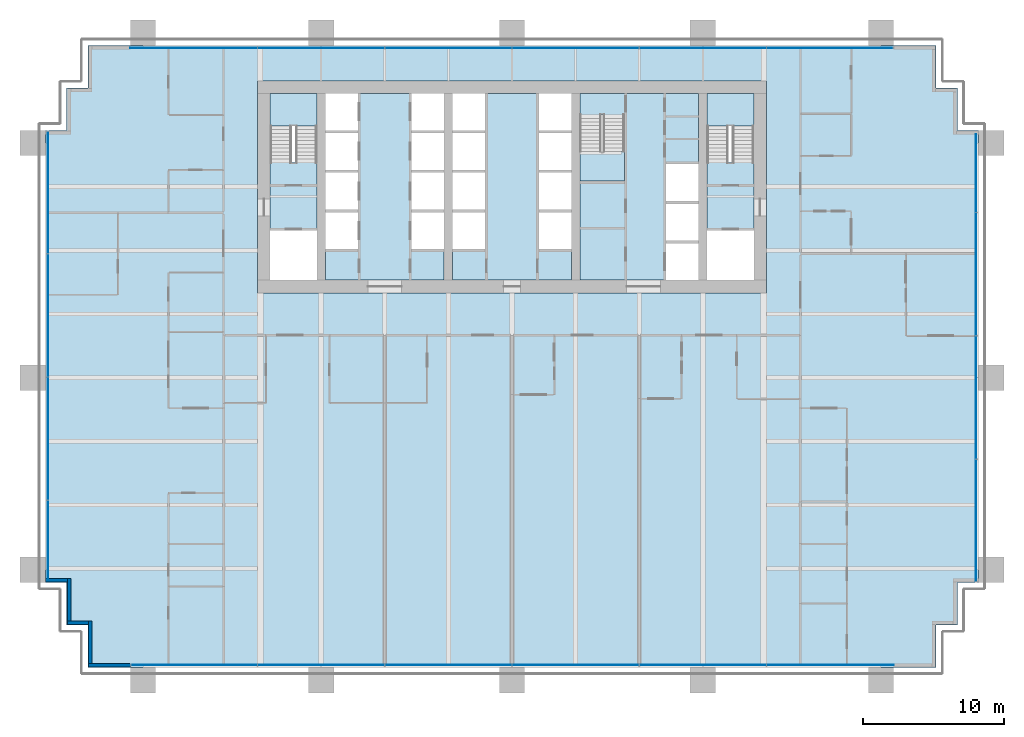
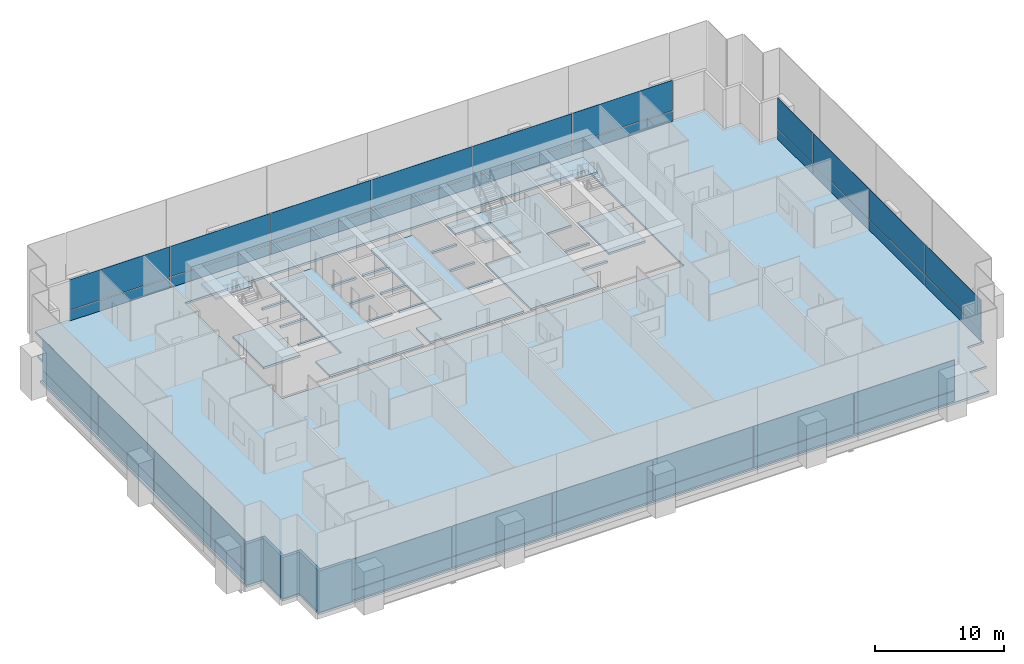
# One storey, part 10 of 18: 40 plates, 9 slabs, 5 walls, 7 elements without a shape of their own.
"""IFC4 building model written with IfcOpenShell, lengths in metres."""

from ifc_helpers import new_model, si_unit, direction, frame, frame_2d, origin, origin_2d, place, context, subcontext, project, spatial, polyline, rectangle, outline, extrude, material, layer, layer_set, type_object, element, aggregate, save


model = new_model("IFC4")

# Units and contexts
model_context = context("Model", 3, precision=1e-05, world=origin(), true_north=direction((0.0, 1.0)))
body_context = subcontext(model_context, "Body", "Model", "MODEL_VIEW")
ifc_project = project(units=[si_unit("LENGTHUNIT", "METRE"), si_unit("AREAUNIT", "SQUARE_METRE"), si_unit("VOLUMEUNIT", "CUBIC_METRE"), si_unit("PLANEANGLEUNIT", "RADIAN"), si_unit("MASSUNIT", "GRAM", prefix="KILO")], contexts=[model_context])

# Site, building, storey
site_placement = place(None, origin())
site = spatial("IfcSite", under=ifc_project, at=site_placement, CompositionType="ELEMENT")
building_placement = place(site_placement, origin())
building = spatial("IfcBuilding", under=site, at=building_placement, Name="Rattan Terrace Tower", CompositionType="ELEMENT")
storey_placement = place(building_placement, frame((0.0, 0.0, 32.39990234375)))
storey = spatial("IfcBuildingStorey", under=building, at=storey_placement, Name="L06", CompositionType="ELEMENT", Elevation=32.39990234375)

# Stair, slab
ifc_material_1 = material(Name="Concrete C40/50", Category="concrete")
stair_type = type_object("IfcStairType", Name="Core exit stair 1500", PredefinedType="HALF_TURN_STAIR", material=ifc_material_1)
stair_1_placement = place(storey_placement, origin())
stair_1 = element("IfcStair", 1, at=stair_1_placement, inside=storey, type_object=stair_type, Name="L06 exit stair 1", PredefinedType="HALF_TURN_STAIR")
ifc_material_2 = material(Name="Concrete C40/50", Category="concrete")
ifc_layer_1 = layer(ifc_material_2, 0.199951171875)
ifc_layer_set_1 = layer_set([ifc_layer_1], Name="Core exit stair landing")
slab_type_1 = type_object("IfcSlabType", Name="Core exit stair landing", PredefinedType="LANDING", material=ifc_layer_set_1)
slab_1_placement = place(storey_placement, frame((0.0, 0.0, 1.85009765625)))
slab_1 = element("IfcSlab", 2, at=slab_1_placement, type_object=slab_type_1, Name="S1 landing 1", PredefinedType="LANDING", context=body_context, shape_type="SweptSolid", body=[
    extrude(outline(polyline([(-13.800048828125, 4.300048828125), (-13.800048828125, 6.60009765625), (-17.10009765625, 6.60009765625), (-17.10009765625, 4.300048828125), (-13.800048828125, 4.300048828125)])), origin(), (0.0, 0.0, 1.0), 0.199951171875),
])
aggregate(stair_1, [slab_1])

stair_2_placement = place(storey_placement, origin())
stair_2 = element("IfcStair", 3, at=stair_2_placement, inside=storey, type_object=stair_type, Name="L06 exit stair 2", PredefinedType="HALF_TURN_STAIR")
slab_2_placement = place(storey_placement, frame((0.0, 0.0, 1.85009765625)))
slab_2 = element("IfcSlab", 4, at=slab_2_placement, type_object=slab_type_1, Name="S2 landing 1", PredefinedType="LANDING", context=body_context, shape_type="SweptSolid", body=[
    extrude(outline(polyline([(17.10009765625, 4.300048828125), (17.10009765625, 6.60009765625), (13.800048828125, 6.60009765625), (13.800048828125, 4.300048828125), (17.10009765625, 4.300048828125)])), origin(), (0.0, 0.0, 1.0), 0.199951171875),
])
aggregate(stair_2, [slab_2])

stair_3_placement = place(storey_placement, origin())
stair_3 = element("IfcStair", 5, at=stair_3_placement, inside=storey, type_object=stair_type, Name="L06 exit stair 3", PredefinedType="HALF_TURN_STAIR")
slab_3_placement = place(storey_placement, frame((0.0, 0.0, 1.85009765625)))
slab_3 = element("IfcSlab", 6, at=slab_3_placement, type_object=slab_type_1, Name="S3 landing 1", PredefinedType="LANDING", context=body_context, shape_type="SweptSolid", body=[
    extrude(outline(polyline([(4.800048828125, 2.5), (4.800048828125, 0.39990234375), (7.949951171875, 0.39990234375), (7.949951171875, 2.5), (4.800048828125, 2.5)])), origin(), (0.0, 0.0, 1.0), 0.199951171875),
])
aggregate(stair_3, [slab_3])

# Curtain wall, plates
ifc_material_3 = material(Name="Aluminium and glass", Category="aluminium")
curtain_wall_type = type_object("IfcCurtainWallType", Name="Facade Unitised Curtain Wall", PredefinedType="NOTDEFINED", material=ifc_material_3)
curtain_wall_1_placement = place(storey_placement, origin())
curtain_wall_1 = element("IfcCurtainWall", 7, at=curtain_wall_1_placement, inside=storey, type_object=curtain_wall_type, Name="Curtain wall L06-1", PredefinedType="NOTDEFINED")
ifc_material_4 = material(Name="Aluminium insulated spandrel panel", Category="aluminium")
ifc_layer_2 = layer(ifc_material_4, 0.028076171875)
ifc_layer_set_2 = layer_set([ifc_layer_2], Name="Facade CW Spandrel Panel")
plate_type_1 = type_object("IfcPlateType", Name="Facade CW Spandrel Panel", PredefinedType="CURTAIN_PANEL", material=ifc_layer_set_2)
plate_1_placement = place(storey_placement, frame((32.830078125, -23.59912109375, 0.0), z_axis=(0.0, 0.0, 1.0), x_axis=(0.0, 1.0, 0.0)))
plate_1 = element("IfcPlate", 8, at=plate_1_placement, type_object=plate_type_1, Name="Panel cwl-L06-001.1.1", PredefinedType="CURTAIN_PANEL", context=body_context, shape_type="SweptSolid", body=[
    extrude(rectangle(XDim=8.592041015625, YDim=0.028076171875, at=origin_2d()), origin(), (0.0, 0.0, 1.0), 0.969970703125),
])
plate_2_placement = place(storey_placement, frame((32.830078125, -14.909423828125, 0.0), z_axis=(0.0, 0.0, 1.0), x_axis=(0.0, 1.0, 0.0)))
plate_2 = element("IfcPlate", 9, at=plate_2_placement, type_object=plate_type_1, Name="Panel cwl-L06-001.2.1", PredefinedType="CURTAIN_PANEL", context=body_context, shape_type="SweptSolid", body=[
    extrude(rectangle(XDim=8.6669921875, YDim=0.028076171875, at=origin_2d()), origin(), (0.0, 0.0, 1.0), 0.969970703125),
])
plate_3_placement = place(storey_placement, frame((32.830078125, -6.1826171875, 0.0), z_axis=(0.0, 0.0, 1.0), x_axis=(0.0, 1.0, 0.0)))
plate_3 = element("IfcPlate", 10, at=plate_3_placement, type_object=plate_type_1, Name="Panel cwl-L06-001.3.1", PredefinedType="CURTAIN_PANEL", context=body_context, shape_type="SweptSolid", body=[
    extrude(rectangle(XDim=8.6669921875, YDim=0.028076171875, at=origin_2d()), origin(), (0.0, 0.0, 1.0), 0.969970703125),
])
plate_4_placement = place(storey_placement, frame((32.830078125, 0.9580078125, 0.0), z_axis=(0.0, 0.0, 1.0), x_axis=(0.0, 1.0, 0.0)))
plate_4 = element("IfcPlate", 11, at=plate_4_placement, type_object=plate_type_1, Name="Panel cwl-L06-001.4.1", PredefinedType="CURTAIN_PANEL", context=body_context, shape_type="SweptSolid", body=[
    extrude(rectangle(XDim=5.493896484375, YDim=0.028076171875, at=origin_2d()), origin(), (0.0, 0.0, 1.0), 0.969970703125),
])

curtain_wall_2_placement = place(storey_placement, origin())
curtain_wall_2 = element("IfcCurtainWall", 12, at=curtain_wall_2_placement, inside=storey, type_object=curtain_wall_type, Name="Curtain wall L06-2", PredefinedType="NOTDEFINED")
plate_5_placement = place(storey_placement, frame((22.485107421875, 9.830078125, 0.0), z_axis=(0.0, 0.0, 1.0), x_axis=(-1.0, 0.0, 0.0)))
plate_5 = element("IfcPlate", 13, at=plate_5_placement, type_object=plate_type_1, Name="Panel cwl-L06-002.1.1", PredefinedType="CURTAIN_PANEL", context=body_context, shape_type="SweptSolid", body=[
    extrude(rectangle(XDim=8.909912109375, YDim=0.028076171875, at=origin_2d()), origin(), (0.0, 0.0, 1.0), 0.969970703125),
])
plate_6_placement = place(storey_placement, frame((13.5, 9.830078125, 0.0), z_axis=(0.0, 0.0, 1.0), x_axis=(-1.0, 0.0, 0.0)))
plate_6 = element("IfcPlate", 14, at=plate_6_placement, type_object=plate_type_1, Name="Panel cwl-L06-002.2.1", PredefinedType="CURTAIN_PANEL", context=body_context, shape_type="SweptSolid", body=[
    extrude(rectangle(XDim=8.93994140625, YDim=0.028076171875, at=origin_2d()), origin(), (0.0, 0.0, 1.0), 0.969970703125),
])
plate_7_placement = place(storey_placement, frame((4.5, 9.830078125, 0.0), z_axis=(0.0, 0.0, 1.0), x_axis=(-1.0, 0.0, 0.0)))
plate_7 = element("IfcPlate", 15, at=plate_7_placement, type_object=plate_type_1, Name="Panel cwl-L06-002.3.1", PredefinedType="CURTAIN_PANEL", context=body_context, shape_type="SweptSolid", body=[
    extrude(rectangle(XDim=8.93994140625, YDim=0.028076171875, at=origin_2d()), origin(), (0.0, 0.0, 1.0), 0.969970703125),
])
plate_8_placement = place(storey_placement, frame((-4.5, 9.830078125, 0.0), z_axis=(0.0, 0.0, 1.0), x_axis=(-1.0, 0.0, 0.0)))
plate_8 = element("IfcPlate", 16, at=plate_8_placement, type_object=plate_type_1, Name="Panel cwl-L06-002.4.1", PredefinedType="CURTAIN_PANEL", context=body_context, shape_type="SweptSolid", body=[
    extrude(rectangle(XDim=8.93994140625, YDim=0.028076171875, at=origin_2d()), origin(), (0.0, 0.0, 1.0), 0.969970703125),
])
plate_9_placement = place(storey_placement, frame((-13.5, 9.830078125, 0.0), z_axis=(0.0, 0.0, 1.0), x_axis=(-1.0, 0.0, 0.0)))
plate_9 = element("IfcPlate", 17, at=plate_9_placement, type_object=plate_type_1, Name="Panel cwl-L06-002.5.1", PredefinedType="CURTAIN_PANEL", context=body_context, shape_type="SweptSolid", body=[
    extrude(rectangle(XDim=8.93994140625, YDim=0.028076171875, at=origin_2d()), origin(), (0.0, 0.0, 1.0), 0.969970703125),
])
plate_10_placement = place(storey_placement, frame((-22.514892578125, 9.830078125, 0.0), z_axis=(0.0, 0.0, 1.0), x_axis=(-1.0, 0.0, 0.0)))
plate_10 = element("IfcPlate", 18, at=plate_10_placement, type_object=plate_type_1, Name="Panel cwl-L06-002.6.1", PredefinedType="CURTAIN_PANEL", context=body_context, shape_type="SweptSolid", body=[
    extrude(rectangle(XDim=8.969970703125, YDim=0.028076171875, at=origin_2d()), origin(), (0.0, 0.0, 1.0), 0.969970703125),
])

curtain_wall_3_placement = place(storey_placement, origin())
curtain_wall_3 = element("IfcCurtainWall", 19, at=curtain_wall_3_placement, inside=storey, type_object=curtain_wall_type, Name="Curtain wall L06-3", PredefinedType="NOTDEFINED")
plate_11_placement = place(storey_placement, frame((-32.830078125, -0.40087890625, 0.0), z_axis=(0.0, 0.0, 1.0), x_axis=(0.0, -1.0, 0.0)))
plate_11 = element("IfcPlate", 20, at=plate_11_placement, type_object=plate_type_1, Name="Panel cwl-L06-003.1.1", PredefinedType="CURTAIN_PANEL", context=body_context, shape_type="SweptSolid", body=[
    extrude(rectangle(XDim=8.592041015625, YDim=0.028076171875, at=origin_2d()), origin(), (0.0, 0.0, 1.0), 0.969970703125),
])
plate_12_placement = place(storey_placement, frame((-32.830078125, -9.090576171875, 0.0), z_axis=(0.0, 0.0, 1.0), x_axis=(0.0, -1.0, 0.0)))
plate_12 = element("IfcPlate", 21, at=plate_12_placement, type_object=plate_type_1, Name="Panel cwl-L06-003.2.1", PredefinedType="CURTAIN_PANEL", context=body_context, shape_type="SweptSolid", body=[
    extrude(rectangle(XDim=8.6669921875, YDim=0.028076171875, at=origin_2d()), origin(), (0.0, 0.0, 1.0), 0.969970703125),
])
plate_13_placement = place(storey_placement, frame((-32.830078125, -17.8173828125, 0.0), z_axis=(0.0, 0.0, 1.0), x_axis=(0.0, -1.0, 0.0)))
plate_13 = element("IfcPlate", 22, at=plate_13_placement, type_object=plate_type_1, Name="Panel cwl-L06-003.3.1", PredefinedType="CURTAIN_PANEL", context=body_context, shape_type="SweptSolid", body=[
    extrude(rectangle(XDim=8.6669921875, YDim=0.028076171875, at=origin_2d()), origin(), (0.0, 0.0, 1.0), 0.969970703125),
])
plate_14_placement = place(storey_placement, frame((-32.830078125, -24.9580078125, 0.0), z_axis=(0.0, 0.0, 1.0), x_axis=(0.0, -1.0, 0.0)))
plate_14 = element("IfcPlate", 23, at=plate_14_placement, type_object=plate_type_1, Name="Panel cwl-L06-003.4.1", PredefinedType="CURTAIN_PANEL", context=body_context, shape_type="SweptSolid", body=[
    extrude(rectangle(XDim=5.493896484375, YDim=0.028076171875, at=origin_2d()), origin(), (0.0, 0.0, 1.0), 0.969970703125),
])

curtain_wall_4_placement = place(storey_placement, origin())
curtain_wall_4 = element("IfcCurtainWall", 24, at=curtain_wall_4_placement, inside=storey, type_object=curtain_wall_type, Name="Curtain wall L06-4", PredefinedType="NOTDEFINED")
plate_15_placement = place(storey_placement, frame((-22.485107421875, -33.830078125, 0.0), z_axis=(0.0, 0.0, 1.0), x_axis=(1.0, 0.0, 0.0)))
plate_15 = element("IfcPlate", 25, at=plate_15_placement, type_object=plate_type_1, Name="Panel cwl-L06-004.1.1", PredefinedType="CURTAIN_PANEL", context=body_context, shape_type="SweptSolid", body=[
    extrude(rectangle(XDim=8.909912109375, YDim=0.028076171875, at=origin_2d()), origin(), (0.0, 0.0, 1.0), 0.969970703125),
])
plate_16_placement = place(storey_placement, frame((-13.5, -33.830078125, 0.0), z_axis=(0.0, 0.0, 1.0), x_axis=(1.0, 0.0, 0.0)))
plate_16 = element("IfcPlate", 26, at=plate_16_placement, type_object=plate_type_1, Name="Panel cwl-L06-004.2.1", PredefinedType="CURTAIN_PANEL", context=body_context, shape_type="SweptSolid", body=[
    extrude(rectangle(XDim=8.93994140625, YDim=0.028076171875, at=origin_2d()), origin(), (0.0, 0.0, 1.0), 0.969970703125),
])
plate_17_placement = place(storey_placement, frame((-4.5, -33.830078125, 0.0), z_axis=(0.0, 0.0, 1.0), x_axis=(1.0, 0.0, 0.0)))
plate_17 = element("IfcPlate", 27, at=plate_17_placement, type_object=plate_type_1, Name="Panel cwl-L06-004.3.1", PredefinedType="CURTAIN_PANEL", context=body_context, shape_type="SweptSolid", body=[
    extrude(rectangle(XDim=8.93994140625, YDim=0.028076171875, at=origin_2d()), origin(), (0.0, 0.0, 1.0), 0.969970703125),
])
plate_18_placement = place(storey_placement, frame((4.5, -33.830078125, 0.0), z_axis=(0.0, 0.0, 1.0), x_axis=(1.0, 0.0, 0.0)))
plate_18 = element("IfcPlate", 28, at=plate_18_placement, type_object=plate_type_1, Name="Panel cwl-L06-004.4.1", PredefinedType="CURTAIN_PANEL", context=body_context, shape_type="SweptSolid", body=[
    extrude(rectangle(XDim=8.93994140625, YDim=0.028076171875, at=origin_2d()), origin(), (0.0, 0.0, 1.0), 0.969970703125),
])
plate_19_placement = place(storey_placement, frame((13.5, -33.830078125, 0.0), z_axis=(0.0, 0.0, 1.0), x_axis=(1.0, 0.0, 0.0)))
plate_19 = element("IfcPlate", 29, at=plate_19_placement, type_object=plate_type_1, Name="Panel cwl-L06-004.5.1", PredefinedType="CURTAIN_PANEL", context=body_context, shape_type="SweptSolid", body=[
    extrude(rectangle(XDim=8.93994140625, YDim=0.028076171875, at=origin_2d()), origin(), (0.0, 0.0, 1.0), 0.969970703125),
])
plate_20_placement = place(storey_placement, frame((22.514892578125, -33.830078125, 0.0), z_axis=(0.0, 0.0, 1.0), x_axis=(1.0, 0.0, 0.0)))
plate_20 = element("IfcPlate", 30, at=plate_20_placement, type_object=plate_type_1, Name="Panel cwl-L06-004.6.1", PredefinedType="CURTAIN_PANEL", context=body_context, shape_type="SweptSolid", body=[
    extrude(rectangle(XDim=8.969970703125, YDim=0.028076171875, at=origin_2d()), origin(), (0.0, 0.0, 1.0), 0.969970703125),
])

# Plate
ifc_material_5 = material(Name="Clear low-iron glass", Category="glass")
ifc_layer_3 = layer(ifc_material_5, 0.028076171875)
ifc_layer_set_3 = layer_set([ifc_layer_3], Name="Facade CW Vision Panel")
plate_type_2 = type_object("IfcPlateType", Name="Facade CW Vision Panel", PredefinedType="CURTAIN_PANEL", material=ifc_layer_set_3)
plate_21_placement = place(storey_placement, frame((32.830078125, -23.59912109375, 1.030029296875), z_axis=(0.0, 0.0, 1.0), x_axis=(0.0, 1.0, 0.0)))
plate_21 = element("IfcPlate", 31, at=plate_21_placement, type_object=plate_type_2, Name="Panel cwl-L06-001.1.2", PredefinedType="CURTAIN_PANEL", context=body_context, shape_type="SweptSolid", body=[
    extrude(rectangle(XDim=8.592041015625, YDim=0.028076171875, at=origin_2d()), origin(), (0.0, 0.0, 1.0), 2.8701171875),
])

plate_22_placement = place(storey_placement, frame((32.830078125, -14.909423828125, 1.030029296875), z_axis=(0.0, 0.0, 1.0), x_axis=(0.0, 1.0, 0.0)))
plate_22 = element("IfcPlate", 32, at=plate_22_placement, type_object=plate_type_2, Name="Panel cwl-L06-001.2.2", PredefinedType="CURTAIN_PANEL", context=body_context, shape_type="SweptSolid", body=[
    extrude(rectangle(XDim=8.6669921875, YDim=0.028076171875, at=origin_2d()), origin(), (0.0, 0.0, 1.0), 2.8701171875),
])

plate_23_placement = place(storey_placement, frame((32.830078125, -6.1826171875, 1.030029296875), z_axis=(0.0, 0.0, 1.0), x_axis=(0.0, 1.0, 0.0)))
plate_23 = element("IfcPlate", 33, at=plate_23_placement, type_object=plate_type_2, Name="Panel cwl-L06-001.3.2", PredefinedType="CURTAIN_PANEL", context=body_context, shape_type="SweptSolid", body=[
    extrude(rectangle(XDim=8.6669921875, YDim=0.028076171875, at=origin_2d()), origin(), (0.0, 0.0, 1.0), 2.8701171875),
])

plate_24_placement = place(storey_placement, frame((32.830078125, 0.9580078125, 1.030029296875), z_axis=(0.0, 0.0, 1.0), x_axis=(0.0, 1.0, 0.0)))
plate_24 = element("IfcPlate", 34, at=plate_24_placement, type_object=plate_type_2, Name="Panel cwl-L06-001.4.2", PredefinedType="CURTAIN_PANEL", context=body_context, shape_type="SweptSolid", body=[
    extrude(rectangle(XDim=5.493896484375, YDim=0.028076171875, at=origin_2d()), origin(), (0.0, 0.0, 1.0), 2.8701171875),
])

aggregate(curtain_wall_1, [plate_1, plate_21, plate_2, plate_22, plate_3, plate_23, plate_4, plate_24])

plate_25_placement = place(storey_placement, frame((22.485107421875, 9.830078125, 1.030029296875), z_axis=(0.0, 0.0, 1.0), x_axis=(-1.0, 0.0, 0.0)))
plate_25 = element("IfcPlate", 35, at=plate_25_placement, type_object=plate_type_2, Name="Panel cwl-L06-002.1.2", PredefinedType="CURTAIN_PANEL", context=body_context, shape_type="SweptSolid", body=[
    extrude(rectangle(XDim=8.909912109375, YDim=0.028076171875, at=origin_2d()), origin(), (0.0, 0.0, 1.0), 2.8701171875),
])

plate_26_placement = place(storey_placement, frame((13.5, 9.830078125, 1.030029296875), z_axis=(0.0, 0.0, 1.0), x_axis=(-1.0, 0.0, 0.0)))
plate_26 = element("IfcPlate", 36, at=plate_26_placement, type_object=plate_type_2, Name="Panel cwl-L06-002.2.2", PredefinedType="CURTAIN_PANEL", context=body_context, shape_type="SweptSolid", body=[
    extrude(rectangle(XDim=8.93994140625, YDim=0.028076171875, at=origin_2d()), origin(), (0.0, 0.0, 1.0), 2.8701171875),
])

plate_27_placement = place(storey_placement, frame((4.5, 9.830078125, 1.030029296875), z_axis=(0.0, 0.0, 1.0), x_axis=(-1.0, 0.0, 0.0)))
plate_27 = element("IfcPlate", 37, at=plate_27_placement, type_object=plate_type_2, Name="Panel cwl-L06-002.3.2", PredefinedType="CURTAIN_PANEL", context=body_context, shape_type="SweptSolid", body=[
    extrude(rectangle(XDim=8.93994140625, YDim=0.028076171875, at=origin_2d()), origin(), (0.0, 0.0, 1.0), 2.8701171875),
])

plate_28_placement = place(storey_placement, frame((-4.5, 9.830078125, 1.030029296875), z_axis=(0.0, 0.0, 1.0), x_axis=(-1.0, 0.0, 0.0)))
plate_28 = element("IfcPlate", 38, at=plate_28_placement, type_object=plate_type_2, Name="Panel cwl-L06-002.4.2", PredefinedType="CURTAIN_PANEL", context=body_context, shape_type="SweptSolid", body=[
    extrude(rectangle(XDim=8.93994140625, YDim=0.028076171875, at=origin_2d()), origin(), (0.0, 0.0, 1.0), 2.8701171875),
])

plate_29_placement = place(storey_placement, frame((-13.5, 9.830078125, 1.030029296875), z_axis=(0.0, 0.0, 1.0), x_axis=(-1.0, 0.0, 0.0)))
plate_29 = element("IfcPlate", 39, at=plate_29_placement, type_object=plate_type_2, Name="Panel cwl-L06-002.5.2", PredefinedType="CURTAIN_PANEL", context=body_context, shape_type="SweptSolid", body=[
    extrude(rectangle(XDim=8.93994140625, YDim=0.028076171875, at=origin_2d()), origin(), (0.0, 0.0, 1.0), 2.8701171875),
])

plate_30_placement = place(storey_placement, frame((-22.514892578125, 9.830078125, 1.030029296875), z_axis=(0.0, 0.0, 1.0), x_axis=(-1.0, 0.0, 0.0)))
plate_30 = element("IfcPlate", 40, at=plate_30_placement, type_object=plate_type_2, Name="Panel cwl-L06-002.6.2", PredefinedType="CURTAIN_PANEL", context=body_context, shape_type="SweptSolid", body=[
    extrude(rectangle(XDim=8.969970703125, YDim=0.028076171875, at=origin_2d()), origin(), (0.0, 0.0, 1.0), 2.8701171875),
])

aggregate(curtain_wall_2, [plate_5, plate_25, plate_6, plate_26, plate_7, plate_27, plate_8, plate_28, plate_9, plate_29, plate_10, plate_30])

plate_31_placement = place(storey_placement, frame((-32.830078125, -0.40087890625, 1.030029296875), z_axis=(0.0, 0.0, 1.0), x_axis=(0.0, -1.0, 0.0)))
plate_31 = element("IfcPlate", 41, at=plate_31_placement, type_object=plate_type_2, Name="Panel cwl-L06-003.1.2", PredefinedType="CURTAIN_PANEL", context=body_context, shape_type="SweptSolid", body=[
    extrude(rectangle(XDim=8.592041015625, YDim=0.028076171875, at=origin_2d()), origin(), (0.0, 0.0, 1.0), 2.8701171875),
])

plate_32_placement = place(storey_placement, frame((-32.830078125, -9.090576171875, 1.030029296875), z_axis=(0.0, 0.0, 1.0), x_axis=(0.0, -1.0, 0.0)))
plate_32 = element("IfcPlate", 42, at=plate_32_placement, type_object=plate_type_2, Name="Panel cwl-L06-003.2.2", PredefinedType="CURTAIN_PANEL", context=body_context, shape_type="SweptSolid", body=[
    extrude(rectangle(XDim=8.6669921875, YDim=0.028076171875, at=origin_2d()), origin(), (0.0, 0.0, 1.0), 2.8701171875),
])

plate_33_placement = place(storey_placement, frame((-32.830078125, -17.8173828125, 1.030029296875), z_axis=(0.0, 0.0, 1.0), x_axis=(0.0, -1.0, 0.0)))
plate_33 = element("IfcPlate", 43, at=plate_33_placement, type_object=plate_type_2, Name="Panel cwl-L06-003.3.2", PredefinedType="CURTAIN_PANEL", context=body_context, shape_type="SweptSolid", body=[
    extrude(rectangle(XDim=8.6669921875, YDim=0.028076171875, at=origin_2d()), origin(), (0.0, 0.0, 1.0), 2.8701171875),
])

plate_34_placement = place(storey_placement, frame((-32.830078125, -24.9580078125, 1.030029296875), z_axis=(0.0, 0.0, 1.0), x_axis=(0.0, -1.0, 0.0)))
plate_34 = element("IfcPlate", 44, at=plate_34_placement, type_object=plate_type_2, Name="Panel cwl-L06-003.4.2", PredefinedType="CURTAIN_PANEL", context=body_context, shape_type="SweptSolid", body=[
    extrude(rectangle(XDim=5.493896484375, YDim=0.028076171875, at=origin_2d()), origin(), (0.0, 0.0, 1.0), 2.8701171875),
])

aggregate(curtain_wall_3, [plate_11, plate_31, plate_12, plate_32, plate_13, plate_33, plate_14, plate_34])

plate_35_placement = place(storey_placement, frame((-22.485107421875, -33.830078125, 1.030029296875), z_axis=(0.0, 0.0, 1.0), x_axis=(1.0, 0.0, 0.0)))
plate_35 = element("IfcPlate", 45, at=plate_35_placement, type_object=plate_type_2, Name="Panel cwl-L06-004.1.2", PredefinedType="CURTAIN_PANEL", context=body_context, shape_type="SweptSolid", body=[
    extrude(rectangle(XDim=8.909912109375, YDim=0.028076171875, at=origin_2d()), origin(), (0.0, 0.0, 1.0), 2.8701171875),
])

plate_36_placement = place(storey_placement, frame((-13.5, -33.830078125, 1.030029296875), z_axis=(0.0, 0.0, 1.0), x_axis=(1.0, 0.0, 0.0)))
plate_36 = element("IfcPlate", 46, at=plate_36_placement, type_object=plate_type_2, Name="Panel cwl-L06-004.2.2", PredefinedType="CURTAIN_PANEL", context=body_context, shape_type="SweptSolid", body=[
    extrude(rectangle(XDim=8.93994140625, YDim=0.028076171875, at=origin_2d()), origin(), (0.0, 0.0, 1.0), 2.8701171875),
])

plate_37_placement = place(storey_placement, frame((-4.5, -33.830078125, 1.030029296875), z_axis=(0.0, 0.0, 1.0), x_axis=(1.0, 0.0, 0.0)))
plate_37 = element("IfcPlate", 47, at=plate_37_placement, type_object=plate_type_2, Name="Panel cwl-L06-004.3.2", PredefinedType="CURTAIN_PANEL", context=body_context, shape_type="SweptSolid", body=[
    extrude(rectangle(XDim=8.93994140625, YDim=0.028076171875, at=origin_2d()), origin(), (0.0, 0.0, 1.0), 2.8701171875),
])

plate_38_placement = place(storey_placement, frame((4.5, -33.830078125, 1.030029296875), z_axis=(0.0, 0.0, 1.0), x_axis=(1.0, 0.0, 0.0)))
plate_38 = element("IfcPlate", 48, at=plate_38_placement, type_object=plate_type_2, Name="Panel cwl-L06-004.4.2", PredefinedType="CURTAIN_PANEL", context=body_context, shape_type="SweptSolid", body=[
    extrude(rectangle(XDim=8.93994140625, YDim=0.028076171875, at=origin_2d()), origin(), (0.0, 0.0, 1.0), 2.8701171875),
])

plate_39_placement = place(storey_placement, frame((13.5, -33.830078125, 1.030029296875), z_axis=(0.0, 0.0, 1.0), x_axis=(1.0, 0.0, 0.0)))
plate_39 = element("IfcPlate", 49, at=plate_39_placement, type_object=plate_type_2, Name="Panel cwl-L06-004.5.2", PredefinedType="CURTAIN_PANEL", context=body_context, shape_type="SweptSolid", body=[
    extrude(rectangle(XDim=8.93994140625, YDim=0.028076171875, at=origin_2d()), origin(), (0.0, 0.0, 1.0), 2.8701171875),
])

plate_40_placement = place(storey_placement, frame((22.514892578125, -33.830078125, 1.030029296875), z_axis=(0.0, 0.0, 1.0), x_axis=(1.0, 0.0, 0.0)))
plate_40 = element("IfcPlate", 50, at=plate_40_placement, type_object=plate_type_2, Name="Panel cwl-L06-004.6.2", PredefinedType="CURTAIN_PANEL", context=body_context, shape_type="SweptSolid", body=[
    extrude(rectangle(XDim=8.969970703125, YDim=0.028076171875, at=origin_2d()), origin(), (0.0, 0.0, 1.0), 2.8701171875),
])

aggregate(curtain_wall_4, [plate_15, plate_35, plate_16, plate_36, plate_17, plate_37, plate_18, plate_38, plate_19, plate_39, plate_20, plate_40])

# Slabs
ifc_material_6 = material(Name="Concrete C35/45", Category="concrete")
ifc_layer_4 = layer(ifc_material_6, 0.199951171875)
ifc_layer_set_4 = layer_set([ifc_layer_4], Name="Frame composite floor slab 200")
slab_type_2 = type_object("IfcSlabType", Name="Frame composite floor slab 200", PredefinedType="FLOOR", material=ifc_layer_set_4)
slab_4_placement = place(storey_placement, frame((0.0, 0.0, -0.199951171875)))
element("IfcSlab", 51, at=slab_4_placement, inside=storey, type_object=slab_type_2, Name="Floor slab", PredefinedType="FLOOR", context=body_context, shape_type="SweptSolid", body=[
    extrude(outline(polyline([(-27.0, -34.0), (27.0, -34.0), (30.0, -34.0), (30.0, -31.0), (31.5, -31.0), (31.5, -28.0), (33.0, -28.0), (33.0, 4.0), (31.5, 4.0), (31.5, 7.0), (30.0, 7.0), (30.0, 10.0), (27.0, 10.0), (-27.0, 10.0), (-30.0, 10.0), (-30.0, 7.0), (-31.5, 7.0), (-31.5, 4.0), (-33.0, 4.0), (-33.0, -28.0), (-31.5, -28.0), (-31.5, -31.0), (-30.0, -31.0), (-30.0, -34.0), (-27.0, -34.0)]), holes=[polyline([(-18.0, -6.60009765625), (-18.0, -7.5), (18.0, -7.5), (18.0, -6.60009765625), (18.0, 6.60009765625), (18.0, 7.5), (-18.0, 7.5), (-18.0, 6.60009765625), (-18.0, -6.60009765625)])]), origin(), (0.0, 0.0, 1.0), 0.199951171875),
])
slab_5_placement = place(storey_placement, frame((0.0, 0.0, -0.199951171875)))
element("IfcSlab", 52, at=slab_5_placement, inside=storey, type_object=slab_type_2, Name="Floor slab", PredefinedType="FLOOR", context=body_context, shape_type="SweptSolid", body=[
    extrude(outline(polyline([(-10.89990234375, 6.60009765625), (-10.89990234375, 4.0), (-13.199951171875, 4.0), (-13.199951171875, 3.800048828125), (-10.89990234375, 3.800048828125), (-10.89990234375, 1.199951171875), (-13.199951171875, 1.199951171875), (-13.199951171875, 1.0), (-10.89990234375, 1.0), (-10.89990234375, -1.60009765625), (-13.199951171875, -1.60009765625), (-13.199951171875, -1.800048828125), (-10.89990234375, -1.800048828125), (-10.89990234375, -4.39990234375), (-13.199951171875, -4.39990234375), (-13.199951171875, -6.60009765625), (-4.800048828125, -6.60009765625), (-4.800048828125, -4.39990234375), (-7.10009765625, -4.39990234375), (-7.10009765625, -1.800048828125), (-4.800048828125, -1.800048828125), (-4.800048828125, -1.60009765625), (-7.10009765625, -1.60009765625), (-7.10009765625, 1.0), (-4.800048828125, 1.0), (-4.800048828125, 1.199951171875), (-7.10009765625, 1.199951171875), (-7.10009765625, 3.800048828125), (-4.800048828125, 3.800048828125), (-4.800048828125, 4.0), (-7.10009765625, 4.0), (-7.10009765625, 6.60009765625), (-10.89990234375, 6.60009765625)])), origin(), (0.0, 0.0, 1.0), 0.199951171875),
])
slab_6_placement = place(storey_placement, frame((0.0, 0.0, -0.199951171875)))
element("IfcSlab", 53, at=slab_6_placement, inside=storey, type_object=slab_type_2, Name="Floor slab", PredefinedType="FLOOR", context=body_context, shape_type="SweptSolid", body=[
    extrude(outline(polyline([(-17.10009765625, -3.10009765625), (-13.800048828125, -3.10009765625), (-13.800048828125, 1.7099609375), (-17.10009765625, 1.7099609375), (-17.10009765625, -3.10009765625)])), origin(), (0.0, 0.0, 1.0), 0.199951171875),
])
slab_7_placement = place(storey_placement, frame((0.0, 0.0, -0.199951171875)))
element("IfcSlab", 54, at=slab_7_placement, inside=storey, type_object=slab_type_2, Name="Floor slab", PredefinedType="FLOOR", context=body_context, shape_type="SweptSolid", body=[
    extrude(outline(polyline([(-4.199951171875, 4.0), (-4.199951171875, 3.800048828125), (-1.89990234375, 3.800048828125), (-1.89990234375, 1.199951171875), (-4.199951171875, 1.199951171875), (-4.199951171875, 1.0), (-1.89990234375, 1.0), (-1.89990234375, -1.60009765625), (-4.199951171875, -1.60009765625), (-4.199951171875, -1.800048828125), (-1.89990234375, -1.800048828125), (-1.89990234375, -4.39990234375), (-4.199951171875, -4.39990234375), (-4.199951171875, -6.60009765625), (4.199951171875, -6.60009765625), (4.199951171875, -4.39990234375), (1.89990234375, -4.39990234375), (1.89990234375, -1.800048828125), (4.199951171875, -1.800048828125), (4.199951171875, -1.60009765625), (1.89990234375, -1.60009765625), (1.89990234375, 1.0), (4.199951171875, 1.0), (4.199951171875, 1.199951171875), (1.89990234375, 1.199951171875), (1.89990234375, 3.800048828125), (4.199951171875, 3.800048828125), (4.199951171875, 4.0), (1.89990234375, 4.0), (1.89990234375, 6.60009765625), (-1.89990234375, 6.60009765625), (-1.89990234375, 4.0), (-4.199951171875, 4.0)])), origin(), (0.0, 0.0, 1.0), 0.199951171875),
])
slab_8_placement = place(storey_placement, frame((0.0, 0.0, -0.199951171875)))
element("IfcSlab", 55, at=slab_8_placement, inside=storey, type_object=slab_type_2, Name="Floor slab", PredefinedType="FLOOR", context=body_context, shape_type="SweptSolid", body=[
    extrude(outline(polyline([(4.800048828125, 5.090087890625), (7.949951171875, 5.090087890625), (7.949951171875, 0.39990234375), (4.800048828125, 0.39990234375), (4.800048828125, -6.60009765625), (10.89990234375, -6.60009765625), (10.89990234375, -4.0), (13.199951171875, -4.0), (13.199951171875, -3.800048828125), (10.89990234375, -3.800048828125), (10.89990234375, -1.199951171875), (13.199951171875, -1.199951171875), (13.199951171875, -1.0), (10.89990234375, -1.0), (10.89990234375, 1.60009765625), (13.199951171875, 1.60009765625), (13.199951171875, 6.60009765625), (4.800048828125, 6.60009765625), (4.800048828125, 5.090087890625)])), origin(), (0.0, 0.0, 1.0), 0.199951171875),
])
slab_9_placement = place(storey_placement, frame((0.0, 0.0, -0.199951171875)))
element("IfcSlab", 56, at=slab_9_placement, inside=storey, type_object=slab_type_2, Name="Floor slab", PredefinedType="FLOOR", context=body_context, shape_type="SweptSolid", body=[
    extrude(outline(polyline([(13.800048828125, -3.10009765625), (17.10009765625, -3.10009765625), (17.10009765625, 1.7099609375), (13.800048828125, 1.7099609375), (13.800048828125, -3.10009765625)])), origin(), (0.0, 0.0, 1.0), 0.199951171875),
])

# Walls
ifc_material_7 = material(Name="Insulated aluminium-clad stud wall", Category="aluminium")
ifc_layer_5 = layer(ifc_material_7, 0.25)
ifc_layer_set_5 = layer_set([ifc_layer_5], Name="Facade Riser Wall 250")
wall_type = type_object("IfcWallType", Name="Facade Riser Wall 250", PredefinedType="SOLIDWALL", material=ifc_layer_set_5)
wall_1_placement = place(storey_placement, frame((-33.0048828125, -27.830078125, 0.0), z_axis=(0.0, 0.0, 1.0), x_axis=(1.0, 0.0, 0.0)))
element("IfcWall", 57, at=wall_1_placement, inside=storey, type_object=wall_type, Name="Riser wall L06-16", PredefinedType="SOLIDWALL", context=body_context, shape_type="SweptSolid", body=[
    extrude(rectangle(XDim=1.5498046875, YDim=0.25, at=frame_2d((0.77490234375, 0.0))), origin(), (0.0, 0.0, 1.0), 3.900146484375),
])
wall_2_placement = place(storey_placement, frame((-31.330078125, -27.705078125, 0.0), z_axis=(0.0, 0.0, 1.0), x_axis=(0.0, -1.0, 0.0)))
element("IfcWall", 58, at=wall_2_placement, inside=storey, type_object=wall_type, Name="Riser wall L06-17", PredefinedType="SOLIDWALL", context=body_context, shape_type="SweptSolid", body=[
    extrude(rectangle(XDim=3.0, YDim=0.25, at=frame_2d((1.5, 0.0))), origin(), (0.0, 0.0, 1.0), 3.900146484375),
])
wall_3_placement = place(storey_placement, frame((-31.455078125, -30.830078125, 0.0), z_axis=(0.0, 0.0, 1.0), x_axis=(1.0, 0.0, 0.0)))
element("IfcWall", 59, at=wall_3_placement, inside=storey, type_object=wall_type, Name="Riser wall L06-18", PredefinedType="SOLIDWALL", context=body_context, shape_type="SweptSolid", body=[
    extrude(rectangle(XDim=1.5, YDim=0.25, at=frame_2d((0.75, 0.0))), origin(), (0.0, 0.0, 1.0), 3.900146484375),
])
wall_4_placement = place(storey_placement, frame((-29.830078125, -30.705078125, 0.0), z_axis=(0.0, 0.0, 1.0), x_axis=(0.0, -1.0, 0.0)))
element("IfcWall", 60, at=wall_4_placement, inside=storey, type_object=wall_type, Name="Riser wall L06-19", PredefinedType="SOLIDWALL", context=body_context, shape_type="SweptSolid", body=[
    extrude(rectangle(XDim=3.0, YDim=0.25, at=frame_2d((1.5, 0.0))), origin(), (0.0, 0.0, 1.0), 3.900146484375),
])
wall_5_placement = place(storey_placement, frame((-29.955078125, -33.830078125, 0.0), z_axis=(0.0, 0.0, 1.0), x_axis=(1.0, 0.0, 0.0)))
element("IfcWall", 61, at=wall_5_placement, inside=storey, type_object=wall_type, Name="Riser wall L06-20", PredefinedType="SOLIDWALL", context=body_context, shape_type="SweptSolid", body=[
    extrude(rectangle(XDim=2.955078125, YDim=0.25, at=frame_2d((1.4775390625, 0.0))), origin(), (0.0, 0.0, 1.0), 3.900146484375),
])

save(model, "model.ifc")
